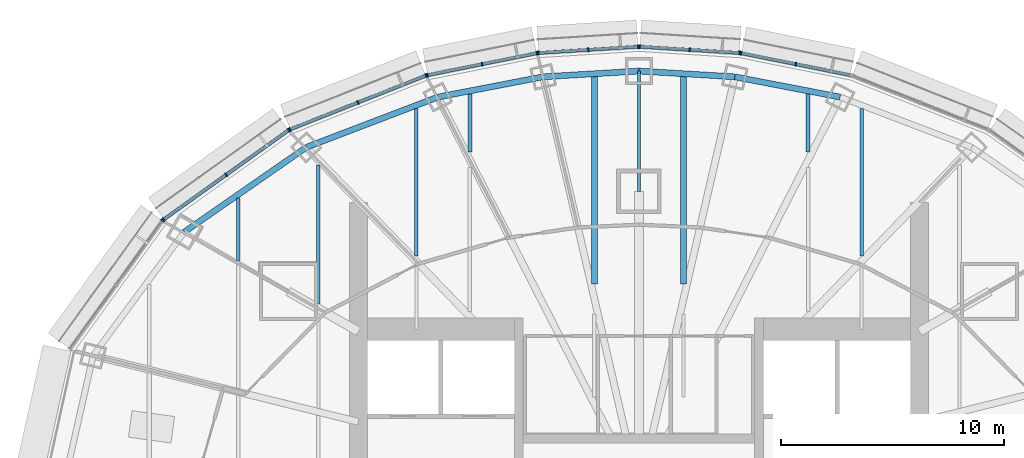
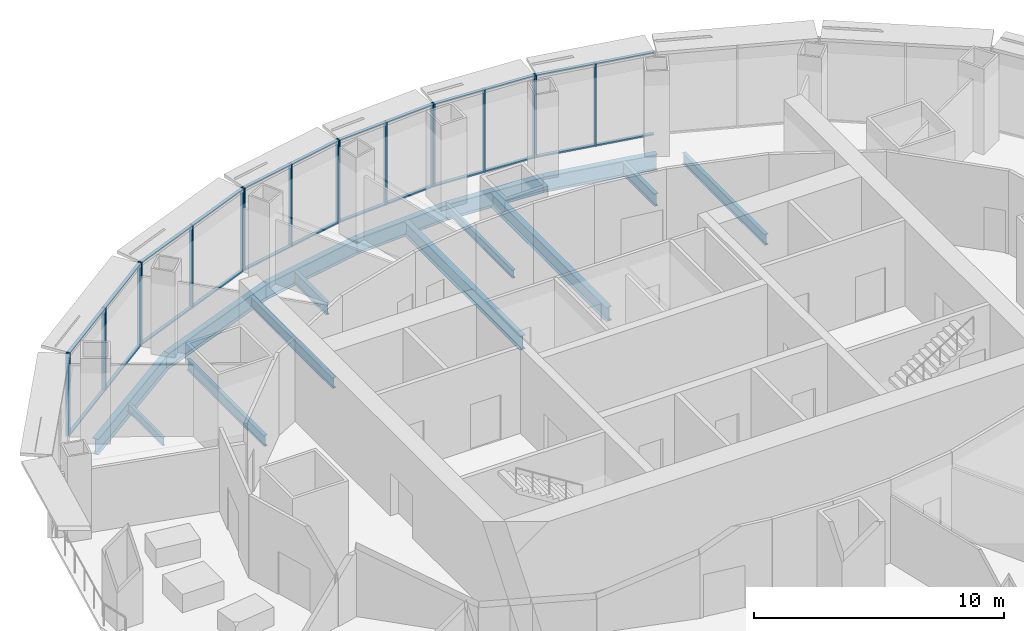
# One storey, part 8 of 16: 42 members, 15 beams, 7 elements without a shape of their own.
"""IFC4 building model written with IfcOpenShell, lengths in metres."""

from ifc_helpers import new_model, si_unit, direction, frame, origin, origin_2d, place, context, subcontext, project, spatial, rectangle, i_section, extrude, material, material_profile, profile_set, type_object, element, aggregate, save


model = new_model("IFC4")

# Units and contexts
model_context = context("Model", 3, precision=1e-05, world=origin(), true_north=direction((0.0, 1.0)))
body_context = subcontext(model_context, "Body", "Model", "MODEL_VIEW")
ifc_project = project(units=[si_unit("LENGTHUNIT", "METRE"), si_unit("AREAUNIT", "SQUARE_METRE"), si_unit("VOLUMEUNIT", "CUBIC_METRE"), si_unit("PLANEANGLEUNIT", "RADIAN"), si_unit("MASSUNIT", "GRAM", prefix="KILO")], contexts=[model_context])

# Site, building, storey
site_placement = place(None, origin())
site = spatial("IfcSite", under=ifc_project, at=site_placement, CompositionType="ELEMENT")
building_placement = place(site_placement, origin())
building = spatial("IfcBuilding", under=site, at=building_placement, Name="Lantaw Convention Tower", CompositionType="ELEMENT")
storey_placement = place(building_placement, frame((0.0, 0.0, 232.60009765625)))
storey = spatial("IfcBuildingStorey", under=building, at=storey_placement, Name="L54", CompositionType="ELEMENT", Elevation=232.60009765625)

# Beams
ifc_material_1 = material(Name="Steel ASTM A992", Category="steel")
ifc_material_profile_1 = material_profile(ifc_material_1, i_section(OverallWidth=0.2666015625, OverallDepth=0.76953125, WebThickness=0.015625, FlangeThickness=0.025390625, FilletRadius=0.0126953125, at=origin_2d()), Name="W30X132")
ifc_profile_set_1 = profile_set([ifc_material_profile_1], Name="Steel ASTM A992")
beam_type_1 = type_object("IfcBeamType", Name="Beam E W30X132", PredefinedType="SPANDREL", material=ifc_profile_set_1)
beam_1_placement = place(storey_placement, frame((9.03466796875, 17.7314453125, -0.534912109375), z_axis=(-0.981972091702, 0.189025953556, 0.0), x_axis=(-0.189025953556, -0.981972091702, 0.0)))
element("IfcBeam", 1, at=beam_1_placement, inside=storey, type_object=beam_type_1, Name="Edge beam 5", PredefinedType="SPANDREL", context=body_context, shape_type="SweptSolid", body=[
    extrude(i_section(OverallWidth=0.2666015625, OverallDepth=0.76953125, WebThickness=0.015625, FlangeThickness=0.025390625, FilletRadius=0.0126953125, at=origin_2d()), origin(), (0.0, 0.0, 1.0), 4.817626953125),
])
for number, where, z_axis, x_axis, name in (
    (2, (4.303955078125, 18.64208984375, -0.534912109375), (-0.998210730897, 0.059794119452, 0.0), (-0.059794119452, -0.998210730897, 0.0), "Edge beam 6"),
    (3, (0.0, 18.89990234375, -0.534912109375), (-0.998210730897, -0.059794119452, 0.0), (0.059794119452, -0.998210730897, 0.0), "Edge beam 7"),
):
    element("IfcBeam", number, at=place(storey_placement, frame(where, z_axis=z_axis, x_axis=x_axis)), inside=storey, type_object=beam_type_1, Name=name, PredefinedType="SPANDREL", context=body_context, shape_type="SweptSolid", body=[
        extrude(i_section(OverallWidth=0.2666015625, OverallDepth=0.76953125, WebThickness=0.015625, FlangeThickness=0.025390625, FilletRadius=0.0126953125, at=origin_2d()), origin(), (0.0, 0.0, 1.0), 4.311767578125),
    ])
beam_2_placement = place(storey_placement, frame((-4.303955078125, 18.64208984375, -0.534912109375), z_axis=(-0.981972091702, -0.189025953556, 0.0), x_axis=(0.189025953556, -0.981972091702, 0.0)))
element("IfcBeam", 4, at=beam_2_placement, inside=storey, type_object=beam_type_1, Name="Edge beam 8", PredefinedType="SPANDREL", context=body_context, shape_type="SweptSolid", body=[
    extrude(i_section(OverallWidth=0.2666015625, OverallDepth=0.76953125, WebThickness=0.015625, FlangeThickness=0.025390625, FilletRadius=0.0126953125, at=origin_2d()), origin(), (0.0, 0.0, 1.0), 4.817626953125),
])
beam_3_placement = place(storey_placement, frame((-9.03466796875, 17.7314453125, -0.534912109375), z_axis=(-0.934234988, -0.356658081637, 0.0), x_axis=(0.356658081637, -0.934234988, 0.0)))
element("IfcBeam", 5, at=beam_3_placement, inside=storey, type_object=beam_type_1, Name="Edge beam 9", PredefinedType="SPANDREL", context=body_context, shape_type="SweptSolid", body=[
    extrude(i_section(OverallWidth=0.2666015625, OverallDepth=0.76953125, WebThickness=0.015625, FlangeThickness=0.025390625, FilletRadius=0.0126953125, at=origin_2d()), origin(), (0.0, 0.0, 1.0), 6.32568359375),
])
beam_4_placement = place(storey_placement, frame((-14.9443359375, 15.475341796875, -0.534912109375), z_axis=(-0.82135329406, -0.570419815869, 0.0), x_axis=(0.570419815869, -0.82135329406, 0.0)))
element("IfcBeam", 6, at=beam_4_placement, inside=storey, type_object=beam_type_1, Name="Edge beam 10", PredefinedType="SPANDREL", context=body_context, shape_type="SweptSolid", body=[
    extrude(i_section(OverallWidth=0.2666015625, OverallDepth=0.76953125, WebThickness=0.015625, FlangeThickness=0.025390625, FilletRadius=0.0126953125, at=origin_2d()), origin(), (0.0, 0.0, 1.0), 6.67041015625),
])
ifc_material_profile_2 = material_profile(ifc_material_1, i_section(OverallWidth=0.140380859375, OverallDepth=0.40380859375, WebThickness=0.007080078125, FlangeThickness=0.01123046875, FilletRadius=0.01025390625, at=origin_2d()), Name="W16X31")
ifc_profile_set_2 = profile_set([ifc_material_profile_2], Name="Steel ASTM A992")
beam_type_2 = type_object("IfcBeamType", Name="Beam G W16X31", PredefinedType="BEAM", material=ifc_profile_set_2)
beam_5_placement = place(storey_placement, frame((0.0, 13.5, -0.35205078125), z_axis=(0.0, 1.0, 0.0), x_axis=(-1.0, 0.0, 0.0)))
element("IfcBeam", 7, at=beam_5_placement, inside=storey, type_object=beam_type_2, Name="Floor girder on ray 7", PredefinedType="BEAM", context=body_context, shape_type="SweptSolid", body=[
    extrude(i_section(OverallWidth=0.140380859375, OverallDepth=0.40380859375, WebThickness=0.007080078125, FlangeThickness=0.01123046875, FilletRadius=0.01025390625, at=origin_2d()), origin(), (0.0, 0.0, 1.0), 5.39990234375),
])
ifc_material_profile_3 = material_profile(ifc_material_1, i_section(OverallWidth=0.140380859375, OverallDepth=0.40380859375, WebThickness=0.007080078125, FlangeThickness=0.01123046875, FilletRadius=0.01025390625, at=origin_2d()), Name="W16X31")
ifc_profile_set_3 = profile_set([ifc_material_profile_3], Name="Steel ASTM A992")
beam_type_3 = type_object("IfcBeamType", Name="Beam J W16X31", PredefinedType="JOIST", material=ifc_profile_set_3)
beam_6_placement = place(storey_placement, frame((-18.0, 10.380859375, -0.35205078125), z_axis=(0.0, 1.0, 0.0), x_axis=(-1.0, 0.0, 0.0)))
element("IfcBeam", 8, at=beam_6_placement, inside=storey, type_object=beam_type_3, Name="Floor joist", PredefinedType="JOIST", context=body_context, shape_type="SweptSolid", body=[
    extrude(i_section(OverallWidth=0.140380859375, OverallDepth=0.40380859375, WebThickness=0.007080078125, FlangeThickness=0.01123046875, FilletRadius=0.01025390625, at=origin_2d()), origin(), (0.0, 0.0, 1.0), 2.81005859375),
])
ifc_material_profile_4 = material_profile(ifc_material_1, i_section(OverallWidth=0.1650390625, OverallDepth=0.52587890625, WebThickness=0.0087890625, FlangeThickness=0.011474609375, FilletRadius=0.0126953125, at=origin_2d()), Name="W21X44")
ifc_profile_set_4 = profile_set([ifc_material_profile_4], Name="Steel ASTM A992")
beam_type_4 = type_object("IfcBeamType", Name="Beam J W21X44", PredefinedType="JOIST", material=ifc_profile_set_4)
beam_7_placement = place(storey_placement, frame((-14.39990234375, 8.461181640625, -0.4130859375), z_axis=(0.0, 1.0, 0.0), x_axis=(-1.0, 0.0, 0.0)))
element("IfcBeam", 9, at=beam_7_placement, inside=storey, type_object=beam_type_4, Name="Floor joist", PredefinedType="JOIST", context=body_context, shape_type="SweptSolid", body=[
    extrude(i_section(OverallWidth=0.1650390625, OverallDepth=0.52587890625, WebThickness=0.0087890625, FlangeThickness=0.011474609375, FilletRadius=0.0126953125, at=origin_2d()), origin(), (0.0, 0.0, 1.0), 6.214599609375),
])
for number, where, z_axis, x_axis, name in (
    (10, (-10.0, 10.591064453125, -0.4130859375), (0.0, 1.0, 0.0), (-1.0, 0.0, 0.0), "Floor joist"),
    (11, (10.0, 10.591064453125, -0.4130859375), (0.0, 1.0, 0.0), (-1.0, 0.0, 0.0), "Floor joist"),
):
    element("IfcBeam", number, at=place(storey_placement, frame(where, z_axis=z_axis, x_axis=x_axis)), inside=storey, type_object=beam_type_4, Name=name, PredefinedType="JOIST", context=body_context, shape_type="SweptSolid", body=[
        extrude(i_section(OverallWidth=0.1650390625, OverallDepth=0.52587890625, WebThickness=0.0087890625, FlangeThickness=0.011474609375, FilletRadius=0.0126953125, at=origin_2d()), origin(), (0.0, 0.0, 1.0), 6.629150390625),
    ])
ifc_material_profile_5 = material_profile(ifc_material_1, i_section(OverallWidth=0.177978515625, OverallDepth=0.599365234375, WebThickness=0.010009765625, FlangeThickness=0.012939453125, FilletRadius=0.012939453125, at=origin_2d()), Name="W24X55")
ifc_profile_set_5 = profile_set([ifc_material_profile_5], Name="Steel ASTM A992")
beam_type_5 = type_object("IfcBeamType", Name="Beam J W24X55", PredefinedType="JOIST", material=ifc_profile_set_5)
for number, where, z_axis, x_axis, name in (
    (12, (-7.60009765625, 15.25439453125, -0.44970703125), (0.0, 1.0, 0.0), (-1.0, 0.0, 0.0), "Floor joist"),
    (13, (7.60009765625, 15.25439453125, -0.44970703125), (0.0, 1.0, 0.0), (-1.0, 0.0, 0.0), "Floor joist"),
):
    element("IfcBeam", number, at=place(storey_placement, frame(where, z_axis=z_axis, x_axis=x_axis)), inside=storey, type_object=beam_type_5, Name=name, PredefinedType="JOIST", context=body_context, shape_type="SweptSolid", body=[
        extrude(i_section(OverallWidth=0.177978515625, OverallDepth=0.599365234375, WebThickness=0.010009765625, FlangeThickness=0.012939453125, FilletRadius=0.012939453125, at=origin_2d()), origin(), (0.0, 0.0, 1.0), 2.617431640625),
    ])
ifc_material_profile_6 = material_profile(ifc_material_1, i_section(OverallWidth=0.25390625, OverallDepth=0.683349609375, WebThickness=0.012451171875, FlangeThickness=0.01904296875, FilletRadius=0.01513671875, at=origin_2d()), Name="W27X94")
ifc_profile_set_6 = profile_set([ifc_material_profile_6], Name="Steel ASTM A992")
beam_type_6 = type_object("IfcBeamType", Name="Beam J W27X94", PredefinedType="JOIST", material=ifc_profile_set_6)
for number, where, z_axis, x_axis, name in (
    (14, (-2.0, 9.34619140625, -0.49169921875), (0.0, 1.0, 0.0), (-1.0, 0.0, 0.0), "Floor joist"),
    (15, (2.0, 9.34619140625, -0.49169921875), (0.0, 1.0, 0.0), (-1.0, 0.0, 0.0), "Floor joist"),
):
    element("IfcBeam", number, at=place(storey_placement, frame(where, z_axis=z_axis, x_axis=x_axis)), inside=storey, type_object=beam_type_6, Name=name, PredefinedType="JOIST", context=body_context, shape_type="SweptSolid", body=[
        extrude(i_section(OverallWidth=0.25390625, OverallDepth=0.683349609375, WebThickness=0.012451171875, FlangeThickness=0.01904296875, FilletRadius=0.01513671875, at=origin_2d()), origin(), (0.0, 0.0, 1.0), 9.30029296875),
    ])

# Curtain wall, members
ifc_material_2 = material(Name="Aluminium framed curtain wall", Category="aluminium")
curtain_wall_type = type_object("IfcCurtainWallType", Name="Office curtain wall high rise, pale aluminium", PredefinedType="USERDEFINED", material=ifc_material_2)
curtain_wall_1_placement = place(storey_placement, origin())
curtain_wall_1 = element("IfcCurtainWall", 16, at=curtain_wall_1_placement, inside=storey, type_object=curtain_wall_type, Name="Office curtain wall high rise, pale aluminium L54", ObjectType="UNITISED CURTAIN WALL", PredefinedType="USERDEFINED")
ifc_material_3 = material(Name="Aluminium 6063-T6", Category="aluminium")
ifc_material_profile_7 = material_profile(ifc_material_3, rectangle(XDim=0.179931640625, YDim=0.06494140625, at=origin_2d()), Name="CW-O2 mullion 65x180")
ifc_profile_set_7 = profile_set([ifc_material_profile_7], Name="Aluminium 6063-T6")
member_type_1 = type_object("IfcMemberType", Name="CW-O2 mullion 65x180", PredefinedType="MULLION", material=ifc_profile_set_7)
member_1_placement = place(storey_placement, frame((7.042724609375, 19.212646484375, 0.0), z_axis=(0.0, 0.0, 1.0), x_axis=(-0.197183095987, -0.980366679695, 0.0)))
member_1 = element("IfcMember", 17, at=member_1_placement, type_object=member_type_1, Name="CW-O2 mullion 2", PredefinedType="MULLION", context=body_context, shape_type="SweptSolid", body=[
    extrude(rectangle(XDim=0.179931640625, YDim=0.06494140625, at=origin_2d()), origin(), (0.0, 0.0, 1.0), 4.0498046875),
])
member_2_placement = place(storey_placement, frame((4.583251953125, 19.70751953125, 0.0), z_axis=(0.0, 0.0, 1.0), x_axis=(-0.197183095987, -0.980366679695, 0.0)))
member_2 = element("IfcMember", 18, at=member_2_placement, type_object=member_type_1, Name="CW-O2 mullion 3", PredefinedType="MULLION", context=body_context, shape_type="SweptSolid", body=[
    extrude(rectangle(XDim=0.179931640625, YDim=0.06494140625, at=origin_2d()), origin(), (0.0, 0.0, 1.0), 4.0498046875),
])

curtain_wall_2_placement = place(storey_placement, origin())
curtain_wall_2 = element("IfcCurtainWall", 19, at=curtain_wall_2_placement, inside=storey, type_object=curtain_wall_type, Name="Office curtain wall high rise, pale aluminium L54", ObjectType="UNITISED CURTAIN WALL", PredefinedType="USERDEFINED")
member_3_placement = place(storey_placement, frame((4.518798828125, 19.7158203125, 0.0), z_axis=(0.0, 0.0, 1.0), x_axis=(-0.062757983884, -0.998028774865, 0.0)))
member_3 = element("IfcMember", 20, at=member_3_placement, type_object=member_type_1, Name="CW-O2 mullion 1", PredefinedType="MULLION", context=body_context, shape_type="SweptSolid", body=[
    extrude(rectangle(XDim=0.179931640625, YDim=0.06494140625, at=origin_2d()), origin(), (0.0, 0.0, 1.0), 4.0498046875),
])
member_4_placement = place(storey_placement, frame((2.275634765625, 19.85693359375, 0.0), z_axis=(0.0, 0.0, 1.0), x_axis=(-0.062757983884, -0.998028774865, 0.0)))
member_4 = element("IfcMember", 21, at=member_4_placement, type_object=member_type_1, Name="CW-O2 mullion 2", PredefinedType="MULLION", context=body_context, shape_type="SweptSolid", body=[
    extrude(rectangle(XDim=0.179931640625, YDim=0.06494140625, at=origin_2d()), origin(), (0.0, 0.0, 1.0), 4.0498046875),
])
member_5_placement = place(storey_placement, frame((0.032470703125, 19.998046875, 0.0), z_axis=(0.0, 0.0, 1.0), x_axis=(-0.062757983884, -0.998028774865, 0.0)))
member_5 = element("IfcMember", 22, at=member_5_placement, type_object=member_type_1, Name="CW-O2 mullion 3", PredefinedType="MULLION", context=body_context, shape_type="SweptSolid", body=[
    extrude(rectangle(XDim=0.179931640625, YDim=0.06494140625, at=origin_2d()), origin(), (0.0, 0.0, 1.0), 4.0498046875),
])

curtain_wall_3_placement = place(storey_placement, origin())
curtain_wall_3 = element("IfcCurtainWall", 23, at=curtain_wall_3_placement, inside=storey, type_object=curtain_wall_type, Name="Office curtain wall high rise, pale aluminium L54", ObjectType="UNITISED CURTAIN WALL", PredefinedType="USERDEFINED")
member_6_placement = place(storey_placement, frame((-0.032470703125, 19.998046875, 0.0), z_axis=(0.0, 0.0, 1.0), x_axis=(0.062757983884, -0.998028774865, 0.0)))
member_6 = element("IfcMember", 24, at=member_6_placement, type_object=member_type_1, Name="CW-O2 mullion 1", PredefinedType="MULLION", context=body_context, shape_type="SweptSolid", body=[
    extrude(rectangle(XDim=0.179931640625, YDim=0.06494140625, at=origin_2d()), origin(), (0.0, 0.0, 1.0), 4.0498046875),
])
member_7_placement = place(storey_placement, frame((-2.275634765625, 19.85693359375, 0.0), z_axis=(0.0, 0.0, 1.0), x_axis=(0.062757983884, -0.998028774865, 0.0)))
member_7 = element("IfcMember", 25, at=member_7_placement, type_object=member_type_1, Name="CW-O2 mullion 2", PredefinedType="MULLION", context=body_context, shape_type="SweptSolid", body=[
    extrude(rectangle(XDim=0.179931640625, YDim=0.06494140625, at=origin_2d()), origin(), (0.0, 0.0, 1.0), 4.0498046875),
])
member_8_placement = place(storey_placement, frame((-4.518798828125, 19.7158203125, 0.0), z_axis=(0.0, 0.0, 1.0), x_axis=(0.062757983884, -0.998028774865, 0.0)))
member_8 = element("IfcMember", 26, at=member_8_placement, type_object=member_type_1, Name="CW-O2 mullion 3", PredefinedType="MULLION", context=body_context, shape_type="SweptSolid", body=[
    extrude(rectangle(XDim=0.179931640625, YDim=0.06494140625, at=origin_2d()), origin(), (0.0, 0.0, 1.0), 4.0498046875),
])

curtain_wall_4_placement = place(storey_placement, origin())
curtain_wall_4 = element("IfcCurtainWall", 27, at=curtain_wall_4_placement, inside=storey, type_object=curtain_wall_type, Name="Office curtain wall high rise, pale aluminium L54", ObjectType="UNITISED CURTAIN WALL", PredefinedType="USERDEFINED")
member_9_placement = place(storey_placement, frame((-4.583251953125, 19.70751953125, 0.0), z_axis=(0.0, 0.0, 1.0), x_axis=(0.197183095987, -0.980366679695, 0.0)))
member_9 = element("IfcMember", 28, at=member_9_placement, type_object=member_type_1, Name="CW-O2 mullion 1", PredefinedType="MULLION", context=body_context, shape_type="SweptSolid", body=[
    extrude(rectangle(XDim=0.179931640625, YDim=0.06494140625, at=origin_2d()), origin(), (0.0, 0.0, 1.0), 4.0498046875),
])
member_10_placement = place(storey_placement, frame((-7.042724609375, 19.212646484375, 0.0), z_axis=(0.0, 0.0, 1.0), x_axis=(0.197183095987, -0.980366679695, 0.0)))
member_10 = element("IfcMember", 29, at=member_10_placement, type_object=member_type_1, Name="CW-O2 mullion 2", PredefinedType="MULLION", context=body_context, shape_type="SweptSolid", body=[
    extrude(rectangle(XDim=0.179931640625, YDim=0.06494140625, at=origin_2d()), origin(), (0.0, 0.0, 1.0), 4.0498046875),
])
member_11_placement = place(storey_placement, frame((-9.502197265625, 18.718017578125, 0.0), z_axis=(0.0, 0.0, 1.0), x_axis=(0.197183095987, -0.980366679695, 0.0)))
member_11 = element("IfcMember", 30, at=member_11_placement, type_object=member_type_1, Name="CW-O2 mullion 3", PredefinedType="MULLION", context=body_context, shape_type="SweptSolid", body=[
    extrude(rectangle(XDim=0.179931640625, YDim=0.06494140625, at=origin_2d()), origin(), (0.0, 0.0, 1.0), 4.0498046875),
])

curtain_wall_5_placement = place(storey_placement, origin())
curtain_wall_5 = element("IfcCurtainWall", 31, at=curtain_wall_5_placement, inside=storey, type_object=curtain_wall_type, Name="Office curtain wall high rise, pale aluminium L54", ObjectType="UNITISED CURTAIN WALL", PredefinedType="USERDEFINED")
member_12_placement = place(storey_placement, frame((-9.564208984375, 18.69970703125, 0.0), z_axis=(0.0, 0.0, 1.0), x_axis=(0.368162315252, -0.929761533743, 0.0)))
member_12 = element("IfcMember", 32, at=member_12_placement, type_object=member_type_1, Name="CW-O2 mullion 1", PredefinedType="MULLION", context=body_context, shape_type="SweptSolid", body=[
    extrude(rectangle(XDim=0.179931640625, YDim=0.06494140625, at=origin_2d()), origin(), (0.0, 0.0, 1.0), 4.0498046875),
])
member_13_placement = place(storey_placement, frame((-12.621337890625, 17.4892578125, 0.0), z_axis=(0.0, 0.0, 1.0), x_axis=(0.368162315252, -0.929761533743, 0.0)))
member_13 = element("IfcMember", 33, at=member_13_placement, type_object=member_type_1, Name="CW-O2 mullion 2", PredefinedType="MULLION", context=body_context, shape_type="SweptSolid", body=[
    extrude(rectangle(XDim=0.179931640625, YDim=0.06494140625, at=origin_2d()), origin(), (0.0, 0.0, 1.0), 4.0498046875),
])
member_14_placement = place(storey_placement, frame((-15.67822265625, 16.278564453125, 0.0), z_axis=(0.0, 0.0, 1.0), x_axis=(0.368162315252, -0.929761533743, 0.0)))
member_14 = element("IfcMember", 34, at=member_14_placement, type_object=member_type_1, Name="CW-O2 mullion 3", PredefinedType="MULLION", context=body_context, shape_type="SweptSolid", body=[
    extrude(rectangle(XDim=0.179931640625, YDim=0.06494140625, at=origin_2d()), origin(), (0.0, 0.0, 1.0), 4.0498046875),
])

curtain_wall_6_placement = place(storey_placement, origin())
curtain_wall_6 = element("IfcCurtainWall", 35, at=curtain_wall_6_placement, inside=storey, type_object=curtain_wall_type, Name="Office curtain wall high rise, pale aluminium L54", ObjectType="UNITISED CURTAIN WALL", PredefinedType="USERDEFINED")
member_15_placement = place(storey_placement, frame((-15.73486328125, 16.247802734375, 0.0), z_axis=(0.0, 0.0, 1.0), x_axis=(0.581323487281, -0.813672540482, 0.0)))
member_15 = element("IfcMember", 36, at=member_15_placement, type_object=member_type_1, Name="CW-O2 mullion 1", PredefinedType="MULLION", context=body_context, shape_type="SweptSolid", body=[
    extrude(rectangle(XDim=0.179931640625, YDim=0.06494140625, at=origin_2d()), origin(), (0.0, 0.0, 1.0), 4.0498046875),
])
member_16_placement = place(storey_placement, frame((-18.543212890625, 14.241455078125, 0.0), z_axis=(0.0, 0.0, 1.0), x_axis=(0.581323487281, -0.813672540482, 0.0)))
member_16 = element("IfcMember", 37, at=member_16_placement, type_object=member_type_1, Name="CW-O2 mullion 2", PredefinedType="MULLION", context=body_context, shape_type="SweptSolid", body=[
    extrude(rectangle(XDim=0.179931640625, YDim=0.06494140625, at=origin_2d()), origin(), (0.0, 0.0, 1.0), 4.0498046875),
])
member_17_placement = place(storey_placement, frame((-21.3515625, 12.23486328125, 0.0), z_axis=(0.0, 0.0, 1.0), x_axis=(0.581323487281, -0.813672540482, 0.0)))
member_17 = element("IfcMember", 38, at=member_17_placement, type_object=member_type_1, Name="CW-O2 mullion 3", PredefinedType="MULLION", context=body_context, shape_type="SweptSolid", body=[
    extrude(rectangle(XDim=0.179931640625, YDim=0.06494140625, at=origin_2d()), origin(), (0.0, 0.0, 1.0), 4.0498046875),
])

# Curtain wall, member
curtain_wall_7_placement = place(storey_placement, origin())
curtain_wall_7 = element("IfcCurtainWall", 39, at=curtain_wall_7_placement, inside=storey, type_object=curtain_wall_type, Name="Office curtain wall high rise, pale aluminium L54", ObjectType="UNITISED CURTAIN WALL", PredefinedType="USERDEFINED")
member_18_placement = place(storey_placement, frame((-21.397216796875, 12.189697265625, 0.0), z_axis=(0.0, 0.0, 1.0), x_axis=(0.810919559405, -0.585157643865, 0.0)))
member_18 = element("IfcMember", 40, at=member_18_placement, type_object=member_type_1, Name="CW-O2 mullion 1", PredefinedType="MULLION", context=body_context, shape_type="SweptSolid", body=[
    extrude(rectangle(XDim=0.179931640625, YDim=0.06494140625, at=origin_2d()), origin(), (0.0, 0.0, 1.0), 4.0498046875),
])
aggregate(curtain_wall_7, [member_18])

# Member
ifc_material_profile_8 = material_profile(ifc_material_3, rectangle(XDim=0.14990234375, YDim=0.06494140625, at=origin_2d()), Name="CW-O2 transom 65x150")
ifc_profile_set_8 = profile_set([ifc_material_profile_8], Name="Aluminium 6063-T6")
member_type_2 = type_object("IfcMemberType", Name="CW-O2 transom 65x150", PredefinedType="USERDEFINED", material=ifc_profile_set_8)
member_19_placement = place(storey_placement, frame((9.47021484375, 18.724365234375, 0.032470703125), z_axis=(-0.98036104319, 0.197211117829, 0.0), x_axis=(-0.197211117829, -0.98036104319, 0.0)))
member_19 = element("IfcMember", 41, at=member_19_placement, type_object=member_type_2, Name="CW-O2 transom 1.1", ObjectType="TRANSOM", PredefinedType="USERDEFINED", context=body_context, shape_type="SweptSolid", body=[
    extrude(rectangle(XDim=0.14990234375, YDim=0.06494140625, at=origin_2d()), origin(), (0.0, 0.0, 1.0), 2.44384765625),
])

member_20_placement = place(storey_placement, frame((9.47021484375, 18.724365234375, 4.017333984375), z_axis=(-0.98036104319, 0.197211117829, 0.0), x_axis=(-0.197211117829, -0.98036104319, 0.0)))
member_20 = element("IfcMember", 42, at=member_20_placement, type_object=member_type_2, Name="CW-O2 transom 1.2", ObjectType="TRANSOM", PredefinedType="USERDEFINED", context=body_context, shape_type="SweptSolid", body=[
    extrude(rectangle(XDim=0.14990234375, YDim=0.06494140625, at=origin_2d()), origin(), (0.0, 0.0, 1.0), 2.44384765625),
])

member_21_placement = place(storey_placement, frame((7.0107421875, 19.21923828125, 0.032470703125), z_axis=(-0.980380354178, 0.197115096178, 0.0), x_axis=(-0.197115096178, -0.980380354178, 0.0)))
member_21 = element("IfcMember", 43, at=member_21_placement, type_object=member_type_2, Name="CW-O2 transom 2.1", ObjectType="TRANSOM", PredefinedType="USERDEFINED", context=body_context, shape_type="SweptSolid", body=[
    extrude(rectangle(XDim=0.14990234375, YDim=0.06494140625, at=origin_2d()), origin(), (0.0, 0.0, 1.0), 2.443603515625),
])

member_22_placement = place(storey_placement, frame((7.0107421875, 19.21923828125, 4.017333984375), z_axis=(-0.980380354178, 0.197115096178, 0.0), x_axis=(-0.197115096178, -0.980380354178, 0.0)))
member_22 = element("IfcMember", 44, at=member_22_placement, type_object=member_type_2, Name="CW-O2 transom 2.2", ObjectType="TRANSOM", PredefinedType="USERDEFINED", context=body_context, shape_type="SweptSolid", body=[
    extrude(rectangle(XDim=0.14990234375, YDim=0.06494140625, at=origin_2d()), origin(), (0.0, 0.0, 1.0), 2.443603515625),
])

aggregate(curtain_wall_1, [member_1, member_2, member_19, member_20, member_21, member_22])

member_23_placement = place(storey_placement, frame((4.486328125, 19.7177734375, 0.032470703125), z_axis=(-0.998021991509, 0.062865765437, 0.0), x_axis=(-0.062865765437, -0.998021991509, 0.0)))
member_23 = element("IfcMember", 45, at=member_23_placement, type_object=member_type_2, Name="CW-O2 transom 1.1", ObjectType="TRANSOM", PredefinedType="USERDEFINED", context=body_context, shape_type="SweptSolid", body=[
    extrude(rectangle(XDim=0.14990234375, YDim=0.06494140625, at=origin_2d()), origin(), (0.0, 0.0, 1.0), 2.1826171875),
])

member_24_placement = place(storey_placement, frame((4.486328125, 19.7177734375, 4.017333984375), z_axis=(-0.998021991509, 0.062865765437, 0.0), x_axis=(-0.062865765437, -0.998021991509, 0.0)))
member_24 = element("IfcMember", 46, at=member_24_placement, type_object=member_type_2, Name="CW-O2 transom 1.2", ObjectType="TRANSOM", PredefinedType="USERDEFINED", context=body_context, shape_type="SweptSolid", body=[
    extrude(rectangle(XDim=0.14990234375, YDim=0.06494140625, at=origin_2d()), origin(), (0.0, 0.0, 1.0), 2.1826171875),
])

member_25_placement = place(storey_placement, frame((2.2431640625, 19.85888671875, 0.032470703125), z_axis=(-0.998029003644, 0.062754345555, 0.0), x_axis=(-0.062754345555, -0.998029003644, 0.0)))
member_25 = element("IfcMember", 47, at=member_25_placement, type_object=member_type_2, Name="CW-O2 transom 2.1", ObjectType="TRANSOM", PredefinedType="USERDEFINED", context=body_context, shape_type="SweptSolid", body=[
    extrude(rectangle(XDim=0.14990234375, YDim=0.06494140625, at=origin_2d()), origin(), (0.0, 0.0, 1.0), 2.1826171875),
])

member_26_placement = place(storey_placement, frame((2.2431640625, 19.85888671875, 4.017333984375), z_axis=(-0.998029003644, 0.062754345555, 0.0), x_axis=(-0.062754345555, -0.998029003644, 0.0)))
member_26 = element("IfcMember", 48, at=member_26_placement, type_object=member_type_2, Name="CW-O2 transom 2.2", ObjectType="TRANSOM", PredefinedType="USERDEFINED", context=body_context, shape_type="SweptSolid", body=[
    extrude(rectangle(XDim=0.14990234375, YDim=0.06494140625, at=origin_2d()), origin(), (0.0, 0.0, 1.0), 2.1826171875),
])

aggregate(curtain_wall_2, [member_3, member_4, member_5, member_23, member_24, member_25, member_26])

member_27_placement = place(storey_placement, frame((-0.06494140625, 19.995849609375, 0.032470703125), z_axis=(-0.998029003644, -0.062754345555, 0.0), x_axis=(0.062754345555, -0.998029003644, 0.0)))
member_27 = element("IfcMember", 49, at=member_27_placement, type_object=member_type_2, Name="CW-O2 transom 1.1", ObjectType="TRANSOM", PredefinedType="USERDEFINED", context=body_context, shape_type="SweptSolid", body=[
    extrude(rectangle(XDim=0.14990234375, YDim=0.06494140625, at=origin_2d()), origin(), (0.0, 0.0, 1.0), 2.1826171875),
])

member_28_placement = place(storey_placement, frame((-0.06494140625, 19.995849609375, 4.017333984375), z_axis=(-0.998029003644, -0.062754345555, 0.0), x_axis=(0.062754345555, -0.998029003644, 0.0)))
member_28 = element("IfcMember", 50, at=member_28_placement, type_object=member_type_2, Name="CW-O2 transom 1.2", ObjectType="TRANSOM", PredefinedType="USERDEFINED", context=body_context, shape_type="SweptSolid", body=[
    extrude(rectangle(XDim=0.14990234375, YDim=0.06494140625, at=origin_2d()), origin(), (0.0, 0.0, 1.0), 2.1826171875),
])

member_29_placement = place(storey_placement, frame((-2.30810546875, 19.85498046875, 0.032470703125), z_axis=(-0.998021991509, -0.062865765437, 0.0), x_axis=(0.062865765437, -0.998021991509, 0.0)))
member_29 = element("IfcMember", 51, at=member_29_placement, type_object=member_type_2, Name="CW-O2 transom 2.1", ObjectType="TRANSOM", PredefinedType="USERDEFINED", context=body_context, shape_type="SweptSolid", body=[
    extrude(rectangle(XDim=0.14990234375, YDim=0.06494140625, at=origin_2d()), origin(), (0.0, 0.0, 1.0), 2.1826171875),
])

member_30_placement = place(storey_placement, frame((-2.30810546875, 19.85498046875, 4.017333984375), z_axis=(-0.998021991509, -0.062865765437, 0.0), x_axis=(0.062865765437, -0.998021991509, 0.0)))
member_30 = element("IfcMember", 52, at=member_30_placement, type_object=member_type_2, Name="CW-O2 transom 2.2", ObjectType="TRANSOM", PredefinedType="USERDEFINED", context=body_context, shape_type="SweptSolid", body=[
    extrude(rectangle(XDim=0.14990234375, YDim=0.06494140625, at=origin_2d()), origin(), (0.0, 0.0, 1.0), 2.1826171875),
])

aggregate(curtain_wall_3, [member_6, member_7, member_8, member_27, member_28, member_29, member_30])

member_31_placement = place(storey_placement, frame((-4.614990234375, 19.700927734375, 0.032470703125), z_axis=(-0.980380354178, -0.197115096178, 0.0), x_axis=(0.197115096178, -0.980380354178, 0.0)))
member_31 = element("IfcMember", 53, at=member_31_placement, type_object=member_type_2, Name="CW-O2 transom 1.1", ObjectType="TRANSOM", PredefinedType="USERDEFINED", context=body_context, shape_type="SweptSolid", body=[
    extrude(rectangle(XDim=0.14990234375, YDim=0.06494140625, at=origin_2d()), origin(), (0.0, 0.0, 1.0), 2.443603515625),
])

member_32_placement = place(storey_placement, frame((-4.614990234375, 19.700927734375, 4.017333984375), z_axis=(-0.980380354178, -0.197115096178, 0.0), x_axis=(0.197115096178, -0.980380354178, 0.0)))
member_32 = element("IfcMember", 54, at=member_32_placement, type_object=member_type_2, Name="CW-O2 transom 1.2", ObjectType="TRANSOM", PredefinedType="USERDEFINED", context=body_context, shape_type="SweptSolid", body=[
    extrude(rectangle(XDim=0.14990234375, YDim=0.06494140625, at=origin_2d()), origin(), (0.0, 0.0, 1.0), 2.443603515625),
])

member_33_placement = place(storey_placement, frame((-7.074462890625, 19.206298828125, 0.032470703125), z_axis=(-0.98036104319, -0.197211117829, 0.0), x_axis=(0.197211117829, -0.98036104319, 0.0)))
member_33 = element("IfcMember", 55, at=member_33_placement, type_object=member_type_2, Name="CW-O2 transom 2.1", ObjectType="TRANSOM", PredefinedType="USERDEFINED", context=body_context, shape_type="SweptSolid", body=[
    extrude(rectangle(XDim=0.14990234375, YDim=0.06494140625, at=origin_2d()), origin(), (0.0, 0.0, 1.0), 2.44384765625),
])

member_34_placement = place(storey_placement, frame((-7.074462890625, 19.206298828125, 4.017333984375), z_axis=(-0.98036104319, -0.197211117829, 0.0), x_axis=(0.197211117829, -0.98036104319, 0.0)))
member_34 = element("IfcMember", 56, at=member_34_placement, type_object=member_type_2, Name="CW-O2 transom 2.2", ObjectType="TRANSOM", PredefinedType="USERDEFINED", context=body_context, shape_type="SweptSolid", body=[
    extrude(rectangle(XDim=0.14990234375, YDim=0.06494140625, at=origin_2d()), origin(), (0.0, 0.0, 1.0), 2.44384765625),
])

aggregate(curtain_wall_4, [member_9, member_10, member_11, member_31, member_32, member_33, member_34])

member_35_placement = place(storey_placement, frame((-9.594482421875, 18.687744140625, 0.032470703125), z_axis=(-0.929766642946, -0.368149412149, 0.0), x_axis=(0.368149412149, -0.929766642946, 0.0)))
member_35 = element("IfcMember", 57, at=member_35_placement, type_object=member_type_2, Name="CW-O2 transom 1.1", ObjectType="TRANSOM", PredefinedType="USERDEFINED", context=body_context, shape_type="SweptSolid", body=[
    extrude(rectangle(XDim=0.14990234375, YDim=0.06494140625, at=origin_2d()), origin(), (0.0, 0.0, 1.0), 3.222900390625),
])

member_36_placement = place(storey_placement, frame((-9.594482421875, 18.687744140625, 4.017333984375), z_axis=(-0.929766642946, -0.368149412149, 0.0), x_axis=(0.368149412149, -0.929766642946, 0.0)))
member_36 = element("IfcMember", 58, at=member_36_placement, type_object=member_type_2, Name="CW-O2 transom 1.2", ObjectType="TRANSOM", PredefinedType="USERDEFINED", context=body_context, shape_type="SweptSolid", body=[
    extrude(rectangle(XDim=0.14990234375, YDim=0.06494140625, at=origin_2d()), origin(), (0.0, 0.0, 1.0), 3.222900390625),
])

member_37_placement = place(storey_placement, frame((-12.651611328125, 17.477294921875, 0.032470703125), z_axis=(-0.929740712354, -0.368214893495, 0.0), x_axis=(0.368214893495, -0.929740712354, 0.0)))
member_37 = element("IfcMember", 59, at=member_37_placement, type_object=member_type_2, Name="CW-O2 transom 2.1", ObjectType="TRANSOM", PredefinedType="USERDEFINED", context=body_context, shape_type="SweptSolid", body=[
    extrude(rectangle(XDim=0.14990234375, YDim=0.06494140625, at=origin_2d()), origin(), (0.0, 0.0, 1.0), 3.22314453125),
])

member_38_placement = place(storey_placement, frame((-12.651611328125, 17.477294921875, 4.017333984375), z_axis=(-0.929740712354, -0.368214893495, 0.0), x_axis=(0.368214893495, -0.929740712354, 0.0)))
member_38 = element("IfcMember", 60, at=member_38_placement, type_object=member_type_2, Name="CW-O2 transom 2.2", ObjectType="TRANSOM", PredefinedType="USERDEFINED", context=body_context, shape_type="SweptSolid", body=[
    extrude(rectangle(XDim=0.14990234375, YDim=0.06494140625, at=origin_2d()), origin(), (0.0, 0.0, 1.0), 3.22314453125),
])

aggregate(curtain_wall_5, [member_12, member_13, member_14, member_35, member_36, member_37, member_38])

member_39_placement = place(storey_placement, frame((-15.761474609375, 16.22900390625, 0.032470703125), z_axis=(-0.813645780821, -0.581360940683, 0.0), x_axis=(0.581360940683, -0.813645780821, 0.0)))
member_39 = element("IfcMember", 61, at=member_39_placement, type_object=member_type_2, Name="CW-O2 transom 1.1", ObjectType="TRANSOM", PredefinedType="USERDEFINED", context=body_context, shape_type="SweptSolid", body=[
    extrude(rectangle(XDim=0.14990234375, YDim=0.06494140625, at=origin_2d()), origin(), (0.0, 0.0, 1.0), 3.386474609375),
])

member_40_placement = place(storey_placement, frame((-15.761474609375, 16.22900390625, 4.017333984375), z_axis=(-0.813645780821, -0.581360940683, 0.0), x_axis=(0.581360940683, -0.813645780821, 0.0)))
member_40 = element("IfcMember", 62, at=member_40_placement, type_object=member_type_2, Name="CW-O2 transom 1.2", ObjectType="TRANSOM", PredefinedType="USERDEFINED", context=body_context, shape_type="SweptSolid", body=[
    extrude(rectangle(XDim=0.14990234375, YDim=0.06494140625, at=origin_2d()), origin(), (0.0, 0.0, 1.0), 3.386474609375),
])

member_41_placement = place(storey_placement, frame((-18.56982421875, 14.222412109375, 0.032470703125), z_axis=(-0.813679882592, -0.581313210468, 0.0), x_axis=(0.581313210468, -0.813679882592, 0.0)))
member_41 = element("IfcMember", 63, at=member_41_placement, type_object=member_type_2, Name="CW-O2 transom 2.1", ObjectType="TRANSOM", PredefinedType="USERDEFINED", context=body_context, shape_type="SweptSolid", body=[
    extrude(rectangle(XDim=0.14990234375, YDim=0.06494140625, at=origin_2d()), origin(), (0.0, 0.0, 1.0), 3.38623046875),
])

member_42_placement = place(storey_placement, frame((-18.56982421875, 14.222412109375, 4.017333984375), z_axis=(-0.813679882592, -0.581313210468, 0.0), x_axis=(0.581313210468, -0.813679882592, 0.0)))
member_42 = element("IfcMember", 64, at=member_42_placement, type_object=member_type_2, Name="CW-O2 transom 2.2", ObjectType="TRANSOM", PredefinedType="USERDEFINED", context=body_context, shape_type="SweptSolid", body=[
    extrude(rectangle(XDim=0.14990234375, YDim=0.06494140625, at=origin_2d()), origin(), (0.0, 0.0, 1.0), 3.38623046875),
])

aggregate(curtain_wall_6, [member_15, member_16, member_17, member_39, member_40, member_41, member_42])

save(model, "model.ifc")
